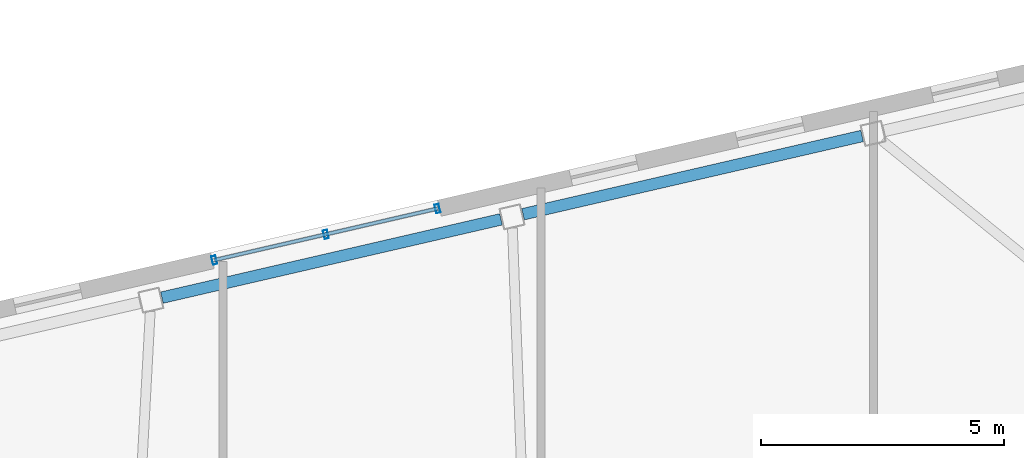
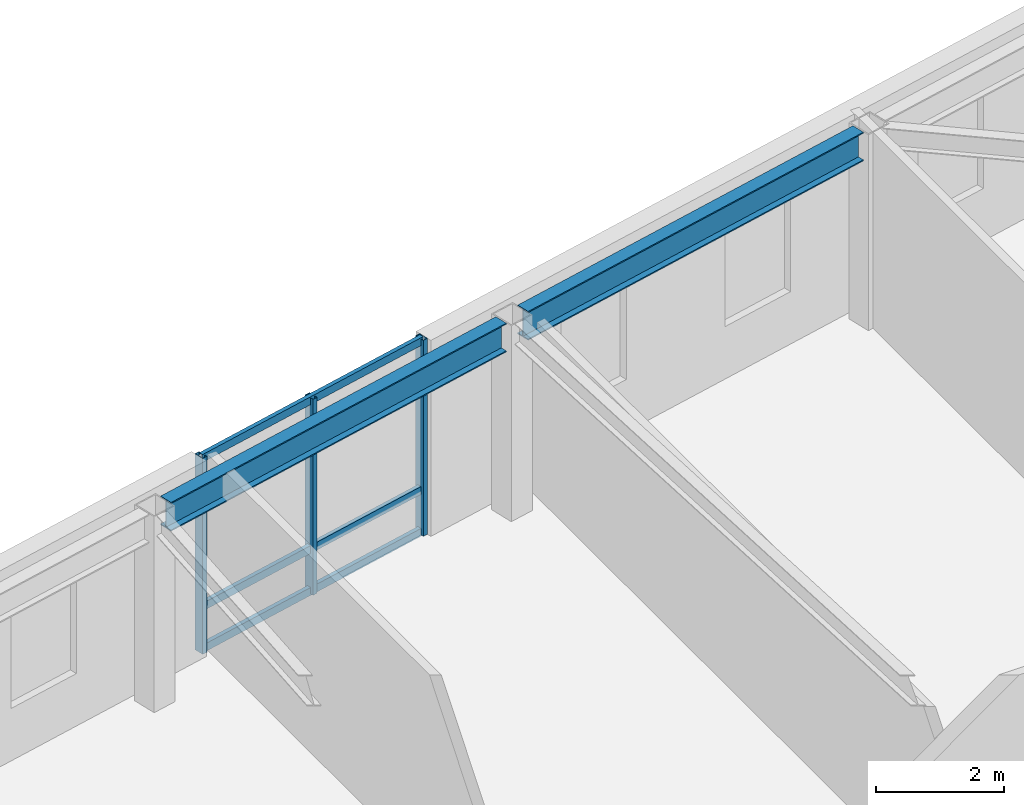
# One storey, part 13 of 23: 6 members, 2 beams, 1 element without a shape of its own.
"""IFC4 building model written with IfcOpenShell, lengths in metres."""

import ifcopenshell
import ifcopenshell.guid

model = None  # the IFC model being written
_history = None  # IfcOwnerHistory: only IFC2X3 demands one
_inside = {}  # id of a spatial element -> (the spatial element, [elements in it])
_under = {}  # id of a project, library or spatial element -> (it, [spatial elements below it])
_declared = {}  # id of a project -> (the project, [libraries it declares])
_typed = {}  # id of a type object -> (the type object, [elements of that type])
_made_of = {}  # id of a material, layer set ... -> (it, [elements and type objects made of it])


def new_model(schema):
    """Start an empty IFC model of exactly this schema.

    Asked for "IFC4X3", IfcOpenShell would pick the latest addendum, in which some entities
    have other attributes; the version numbers below select the first issue.
    IFC2X3 requires an IfcOwnerHistory on every rooted entity: one is made here for all.
    """
    global model, _history
    if schema == "IFC4X3":
        model = ifcopenshell.file(schema_version=(4, 3, 0, 0))
    else:
        model = ifcopenshell.file(schema=schema)
    _inside.clear()
    _under.clear()
    _declared.clear()
    _typed.clear()
    _made_of.clear()
    _history = None
    if model.schema == "IFC2X3":
        org = make("IfcOrganization", Name="unknown")
        user = make(
            "IfcPersonAndOrganization",
            ThePerson=make("IfcPerson", FamilyName="unknown"),
            TheOrganization=org,
        )
        app = make(
            "IfcApplication",
            ApplicationDeveloper=org,
            Version="unknown",
            ApplicationFullName="unknown",
            ApplicationIdentifier="unknown",
        )
        _history = make(
            "IfcOwnerHistory",
            OwningUser=user,
            OwningApplication=app,
            ChangeAction="ADDED",
            CreationDate=0,
        )
    return model


def make(cls, **values):
    """One entity of the class cls with the attributes given. An attribute that is None is left unset."""
    return model.create_entity(
        cls, **{name: value for name, value in values.items() if value is not None}
    )


def rooted(cls, **values):
    """An entity with a GlobalId (a new one), such as an element, a storey or a relation."""
    return make(cls, GlobalId=ifcopenshell.guid.new(), OwnerHistory=_history, **values)


def si_unit(unit_type, name, prefix=None):
    """IfcSIUnit, for example si_unit("LENGTHUNIT", "METRE", prefix="MILLI")."""
    return make("IfcSIUnit", UnitType=unit_type, Prefix=prefix, Name=name)


def assignment(units):
    """IfcUnitAssignment: the units of a project."""
    return None if units is None else make("IfcUnitAssignment", Units=units)


def point(xyz):
    """IfcCartesianPoint."""
    return None if xyz is None else make("IfcCartesianPoint", Coordinates=xyz)


def direction(xyz):
    """IfcDirection."""
    return None if xyz is None else make("IfcDirection", DirectionRatios=xyz)


def frame(location, z_axis=None, x_axis=None):
    """IfcAxis2Placement3D, a coordinate frame: its origin and axes. An axis left out is left unset."""
    return make(
        "IfcAxis2Placement3D",
        Location=point(location),
        Axis=direction(z_axis),
        RefDirection=direction(x_axis),
    )


def frame_2d(location, x_axis=None):
    """IfcAxis2Placement2D, a coordinate frame in the plane: its origin and x axis."""
    return make(
        "IfcAxis2Placement2D", Location=point(location), RefDirection=direction(x_axis)
    )


def origin():
    """The frame at (0, 0, 0) with its axes left unset."""
    return frame((0.0, 0.0, 0.0))


def origin_2d():
    """The frame at (0, 0) in the plane with its x axis left unset."""
    return frame_2d((0.0, 0.0))


def place(relative_to, where):
    """IfcLocalPlacement: puts the frame where relative to a parent placement (None: the world)."""
    return make(
        "IfcLocalPlacement", PlacementRelTo=relative_to, RelativePlacement=where
    )


def context(
    kind, dimensions, precision=None, world=None, true_north=None, identifier=None
):
    """IfcGeometricRepresentationContext, for example the 3D "Model" context."""
    return make(
        "IfcGeometricRepresentationContext",
        ContextIdentifier=identifier,
        ContextType=kind,
        CoordinateSpaceDimension=dimensions,
        Precision=precision,
        WorldCoordinateSystem=world,
        TrueNorth=true_north,
    )


def subcontext(parent, identifier, kind, view, scale=None):
    """IfcGeometricRepresentationSubContext, for example "Body" below "Model"."""
    return make(
        "IfcGeometricRepresentationSubContext",
        ContextIdentifier=identifier,
        ContextType=kind,
        ParentContext=parent,
        TargetScale=scale,
        TargetView=view,
    )


def project(units=None, contexts=None):
    """IfcProject with its units and contexts."""
    return rooted(
        "IfcProject",
        Name="project",
        RepresentationContexts=contexts,
        UnitsInContext=assignment(units),
    )


def spatial(cls, under=None, at=None, **own):
    """A site, building, storey or space (cls), placed at a placement, below another one or the project."""
    s = rooted(cls, ObjectPlacement=at, **own)
    if under is not None:
        _under.setdefault(under.id(), (under, []))[1].append(s)
    return s


def profile(cls, at=None, kind="AREA", **sizes):
    """A parametric profile (cls). Its sizes go by their IFC names, for example OverallWidth=200.0."""
    return make(cls, ProfileType=kind, Position=at, **sizes)


def hollow_rectangle(**sizes):
    """IfcRectangleHollowProfileDef."""
    return profile("IfcRectangleHollowProfileDef", **sizes)


def i_section(**sizes):
    """IfcIShapeProfileDef."""
    return profile("IfcIShapeProfileDef", **sizes)


def extrude(swept, where, along, depth):
    """IfcExtrudedAreaSolid: the profile swept, set in the frame where, extruded along a direction by depth."""
    return make(
        "IfcExtrudedAreaSolid",
        SweptArea=swept,
        Position=where,
        ExtrudedDirection=direction(along),
        Depth=depth,
    )


def shape(context_of_items, identifier, shape_type, items):
    """IfcShapeRepresentation: the items that make up one representation, for example the "Body"."""
    return make(
        "IfcShapeRepresentation",
        ContextOfItems=context_of_items,
        RepresentationIdentifier=identifier,
        RepresentationType=shape_type,
        Items=items,
    )


def material(Name=None, Category=None):
    """IfcMaterial."""
    return make("IfcMaterial", Name=Name, Category=Category)


def layer(
    of_material, thickness, ventilated=None, Name=None, Category=None, Priority=None
):
    """IfcMaterialLayer: one layer of a wall or slab, of a material (None: an air gap)."""
    return make(
        "IfcMaterialLayer",
        Material=of_material,
        LayerThickness=thickness,
        IsVentilated=ventilated,
        Name=Name,
        Category=Category,
        Priority=Priority,
    )


def layer_set(layers, Name=None):
    """IfcMaterialLayerSet."""
    return make("IfcMaterialLayerSet", MaterialLayers=layers, LayerSetName=Name)


def material_profile(
    of_material, cross_section, Name=None, Category=None, Priority=None
):
    """IfcMaterialProfile: a cross section and its material."""
    return make(
        "IfcMaterialProfile",
        Name=Name,
        Material=of_material,
        Profile=cross_section,
        Priority=Priority,
        Category=Category,
    )


def profile_set(profiles, Name=None, composite=None):
    """IfcMaterialProfileSet."""
    return make(
        "IfcMaterialProfileSet",
        Name=Name,
        MaterialProfiles=profiles,
        CompositeProfile=composite,
    )


def made_of(thing, what):
    """Note that an element or type object is made of a material, layer set ...; save() writes the relation."""
    if what is not None:
        _made_of.setdefault(what.id(), (what, []))[1].append(thing)
    return thing


def type_object(cls, material=None, **own):
    """A type object (cls), such as IfcWallType, which elements share."""
    return made_of(rooted(cls, **own), material)


def element(
    cls,
    number,
    at=None,
    inside=None,
    cuts=None,
    type_object=None,
    material=None,
    context=None,
    identifier="Body",
    shape_type=None,
    held_by="IfcProductDefinitionShape",
    body=None,
    shapes=None,
    **own,
):
    """One element of the class cls, such as IfcWall. Its Tag is "e" and its number.

    at: its placement. inside: the storey or other place that contains it. cuts: it is an
    opening in that element (IfcRelVoidsElement). A single representation is given by context,
    identifier, shape_type and body (its items); several are given by shapes. held_by: the class
    of the entity that holds the representations. save() writes the other relations.
    """
    e = rooted(cls, Tag="e%d" % number, ObjectPlacement=at, **own)
    if body is not None:
        shapes = [shape(context, identifier, shape_type, body)]
    if shapes is not None:
        e.Representation = make(held_by, Representations=shapes)
    if inside is not None:
        _inside.setdefault(inside.id(), (inside, []))[1].append(e)
    if cuts is not None:
        rooted(
            "IfcRelVoidsElement", RelatingBuildingElement=cuts, RelatedOpeningElement=e
        )
    if type_object is not None:
        _typed.setdefault(type_object.id(), (type_object, []))[1].append(e)
    return made_of(e, material)


def aggregate(whole, parts):
    """IfcRelAggregates: a whole, such as a stair, and the parts it consists of."""
    return rooted("IfcRelAggregates", RelatingObject=whole, RelatedObjects=parts)


def save(model, path):
    """Write the relations noted so far, then the file.

    IfcRelAggregates (storeys below a building ...), IfcRelContainedInSpatialStructure (elements
    in a storey), IfcRelDefinesByType, IfcRelAssociatesMaterial and IfcRelDeclares: one each for
    every whole, place, type object, material and project.
    """
    for whole, parts in _under.values():
        aggregate(whole, parts)
    for where, things in _inside.values():
        rooted(
            "IfcRelContainedInSpatialStructure",
            RelatedElements=things,
            RelatingStructure=where,
        )
    for kind, things in _typed.values():
        rooted("IfcRelDefinesByType", RelatedObjects=things, RelatingType=kind)
    for what, things in _made_of.values():
        rooted("IfcRelAssociatesMaterial", RelatedObjects=things, RelatingMaterial=what)
    for by, libraries in _declared.values():
        rooted("IfcRelDeclares", RelatingContext=by, RelatedDefinitions=libraries)
    model.write(path)


model = new_model("IFC4")

# Units and contexts
model_context = context("Model", 3, precision=1e-05, world=origin(), true_north=direction((0.0, 1.0)))
body_context = subcontext(model_context, "Body", "Model", "MODEL_VIEW")
ifc_project = project(units=[si_unit("LENGTHUNIT", "METRE"), si_unit("AREAUNIT", "SQUARE_METRE"), si_unit("VOLUMEUNIT", "CUBIC_METRE"), si_unit("PLANEANGLEUNIT", "RADIAN"), si_unit("MASSUNIT", "GRAM", prefix="KILO")], contexts=[model_context])

# Site, building, storey
site_placement = place(None, origin())
site = spatial("IfcSite", under=ifc_project, at=site_placement, CompositionType="ELEMENT")
building_placement = place(site_placement, origin())
building = spatial("IfcBuilding", under=site, at=building_placement, Name="Tavrogorsk Clinical Tower", CompositionType="ELEMENT")
storey_placement = place(building_placement, frame((0.0, 0.0, 289.0)))
storey = spatial("IfcBuildingStorey", under=building, at=storey_placement, Name="L67", CompositionType="ELEMENT", Elevation=289.0)

# Curtain wall, members
ifc_material_1 = material(Name="Anodised aluminium and triple IGU glazing", Category="aluminium")
ifc_layer = layer(ifc_material_1, 0.179931640625)
ifc_layer_set = layer_set([ifc_layer], Name="Anodised aluminium and triple IGU glazing")
curtain_wall_type = type_object("IfcCurtainWallType", Name="CW2_NorthSlot", PredefinedType="NOTDEFINED", material=ifc_layer_set)
curtain_wall_placement = place(storey_placement, origin())
curtain_wall = element("IfcCurtainWall", 1, at=curtain_wall_placement, inside=storey, type_object=curtain_wall_type, Name="L67 Curtain Wall CW-L67-N-SLOT-2", PredefinedType="NOTDEFINED")
ifc_material_2 = material(Name="Anodised aluminium alloy AW-6060", Category="aluminium")
ifc_material_profile_1 = material_profile(ifc_material_2, hollow_rectangle(XDim=0.090087890625, YDim=0.179931640625, WallThickness=0.00634765625, at=origin_2d()), Name="RHS-180x90x6.3")
ifc_profile_set_1 = profile_set([ifc_material_profile_1], Name="Anodised aluminium alloy AW-6060")
member_type_1 = type_object("IfcMemberType", Name="CwMullion_180x90", PredefinedType="MULLION", material=ifc_profile_set_1)
member_1_placement = place(storey_placement, frame((2.26904296875, 22.400634765625, 0.0), z_axis=(0.0, 0.0, 1.0), x_axis=(-0.974370092441, -0.224950934554, 0.0)))
member_1 = element("IfcMember", 2, at=member_1_placement, type_object=member_type_1, Name="CW-L67-N-SLOT-2 Mullion 1", PredefinedType="MULLION", context=body_context, shape_type="SweptSolid", body=[
    extrude(hollow_rectangle(XDim=0.090087890625, YDim=0.179931640625, WallThickness=0.00634765625, at=origin_2d()), origin(), (0.0, 0.0, 1.0), 3.739990234375),
])
member_2_placement = place(storey_placement, frame((-0.029541015625, 21.869873046875, 0.0), z_axis=(0.0, 0.0, 1.0), x_axis=(-0.974370092441, -0.224950934554, 0.0)))
member_2 = element("IfcMember", 3, at=member_2_placement, type_object=member_type_1, Name="CW-L67-N-SLOT-2 Mullion 2", PredefinedType="MULLION", context=body_context, shape_type="SweptSolid", body=[
    extrude(hollow_rectangle(XDim=0.090087890625, YDim=0.179931640625, WallThickness=0.00634765625, at=origin_2d()), origin(), (0.0, 0.0, 1.0), 3.739990234375),
])
member_3_placement = place(storey_placement, frame((-2.328125, 21.339111328125, 0.0), z_axis=(0.0, 0.0, 1.0), x_axis=(-0.974370092441, -0.224950934554, 0.0)))
member_3 = element("IfcMember", 4, at=member_3_placement, type_object=member_type_1, Name="CW-L67-N-SLOT-2 Mullion 3", PredefinedType="MULLION", context=body_context, shape_type="SweptSolid", body=[
    extrude(hollow_rectangle(XDim=0.090087890625, YDim=0.179931640625, WallThickness=0.00634765625, at=origin_2d()), origin(), (0.0, 0.0, 1.0), 3.739990234375),
])
ifc_material_3 = material(Name="Anodised aluminium alloy AW-6060", Category="aluminium")
ifc_material_profile_2 = material_profile(ifc_material_3, hollow_rectangle(XDim=0.074951171875, YDim=0.14990234375, WallThickness=0.0048828125, at=origin_2d()), Name="RHS-150x75x5")
ifc_profile_set_2 = profile_set([ifc_material_profile_2], Name="Anodised aluminium alloy AW-6060")
member_type_2 = type_object("IfcMemberType", Name="CwTransom_150x75", PredefinedType="USERDEFINED", material=ifc_profile_set_2)
member_4_placement = place(storey_placement, frame((2.26904296875, 22.400634765625, 0.050048828125), z_axis=(-0.974361535497, -0.224987995557, 0.0), x_axis=(0.224987995557, -0.974361535497, 0.0)))
member_4 = element("IfcMember", 5, at=member_4_placement, type_object=member_type_2, Name="CW-L67-N-SLOT-2 Transom 1", ObjectType="TRANSOM", PredefinedType="USERDEFINED", context=body_context, shape_type="SweptSolid", body=[
    extrude(hollow_rectangle(XDim=0.074951171875, YDim=0.14990234375, WallThickness=0.0048828125, at=origin_2d()), origin(), (0.0, 0.0, 1.0), 4.718017578125),
])
member_5_placement = place(storey_placement, frame((2.26904296875, 22.400634765625, 0.85009765625), z_axis=(-0.974361535497, -0.224987995557, 0.0), x_axis=(0.224987995557, -0.974361535497, 0.0)))
member_5 = element("IfcMember", 6, at=member_5_placement, type_object=member_type_2, Name="CW-L67-N-SLOT-2 Transom 2", ObjectType="TRANSOM", PredefinedType="USERDEFINED", context=body_context, shape_type="SweptSolid", body=[
    extrude(hollow_rectangle(XDim=0.074951171875, YDim=0.14990234375, WallThickness=0.0048828125, at=origin_2d()), origin(), (0.0, 0.0, 1.0), 4.718017578125),
])
member_6_placement = place(storey_placement, frame((2.26904296875, 22.400634765625, 3.68994140625), z_axis=(-0.974361535497, -0.224987995557, 0.0), x_axis=(0.224987995557, -0.974361535497, 0.0)))
member_6 = element("IfcMember", 7, at=member_6_placement, type_object=member_type_2, Name="CW-L67-N-SLOT-2 Transom 3", ObjectType="TRANSOM", PredefinedType="USERDEFINED", context=body_context, shape_type="SweptSolid", body=[
    extrude(hollow_rectangle(XDim=0.074951171875, YDim=0.14990234375, WallThickness=0.0048828125, at=origin_2d()), origin(), (0.0, 0.0, 1.0), 4.718017578125),
])
aggregate(curtain_wall, [member_1, member_2, member_3, member_4, member_5, member_6])

# Beams
ifc_material_4 = material(Name="Structural steel S390", Category="steel")
ifc_material_profile_3 = material_profile(ifc_material_4, i_section(OverallWidth=0.239990234375, OverallDepth=0.550048828125, WebThickness=0.013916015625, FlangeThickness=0.02197265625, at=origin_2d()), Name="B-550x240x14x22")
ifc_profile_set_3 = profile_set([ifc_material_profile_3], Name="Structural steel S390")
beam_type = type_object("IfcBeamType", Name="SpandrelBeam_B550", PredefinedType="SPANDREL", material=ifc_profile_set_3)
for number, where, z_axis, x_axis, name in (
    (8, (11.01611328125, 23.896484375, 3.465087890625), (-0.974369378592, -0.224954026551, 0.0), (0.224954026551, -0.974369378592, 0.0), "L67 Perimeter Spandrel N2-N3"),
    (9, (3.577392578125, 22.17919921875, 3.465087890625), (-0.974369378592, -0.224954026551, 0.0), (0.224954026551, -0.974369378592, 0.0), "L67 Perimeter Spandrel N3-N4"),
):
    element("IfcBeam", number, at=place(storey_placement, frame(where, z_axis=z_axis, x_axis=x_axis)), inside=storey, type_object=beam_type, Name=name, PredefinedType="SPANDREL", context=body_context, shape_type="SweptSolid", body=[
        extrude(i_section(OverallWidth=0.239990234375, OverallDepth=0.550048828125, WebThickness=0.013916015625, FlangeThickness=0.02197265625, at=origin_2d()), origin(), (0.0, 0.0, 1.0), 7.16845703125),
    ])

save(model, "model.ifc")
